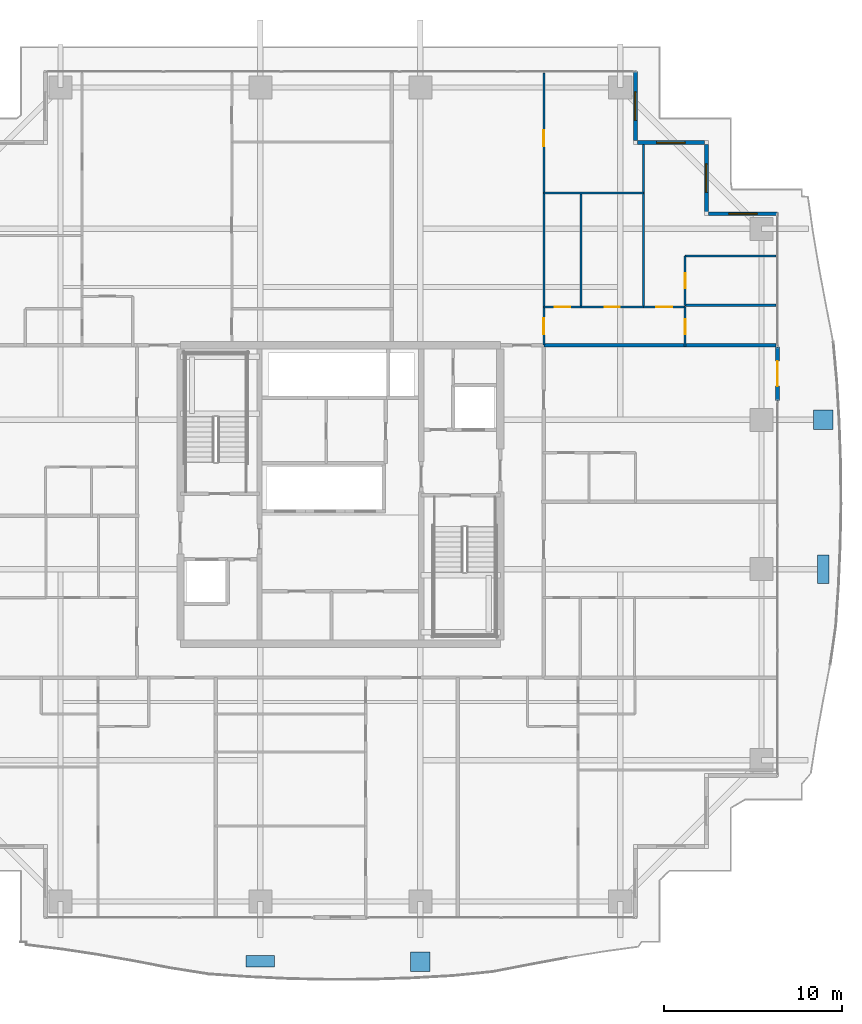
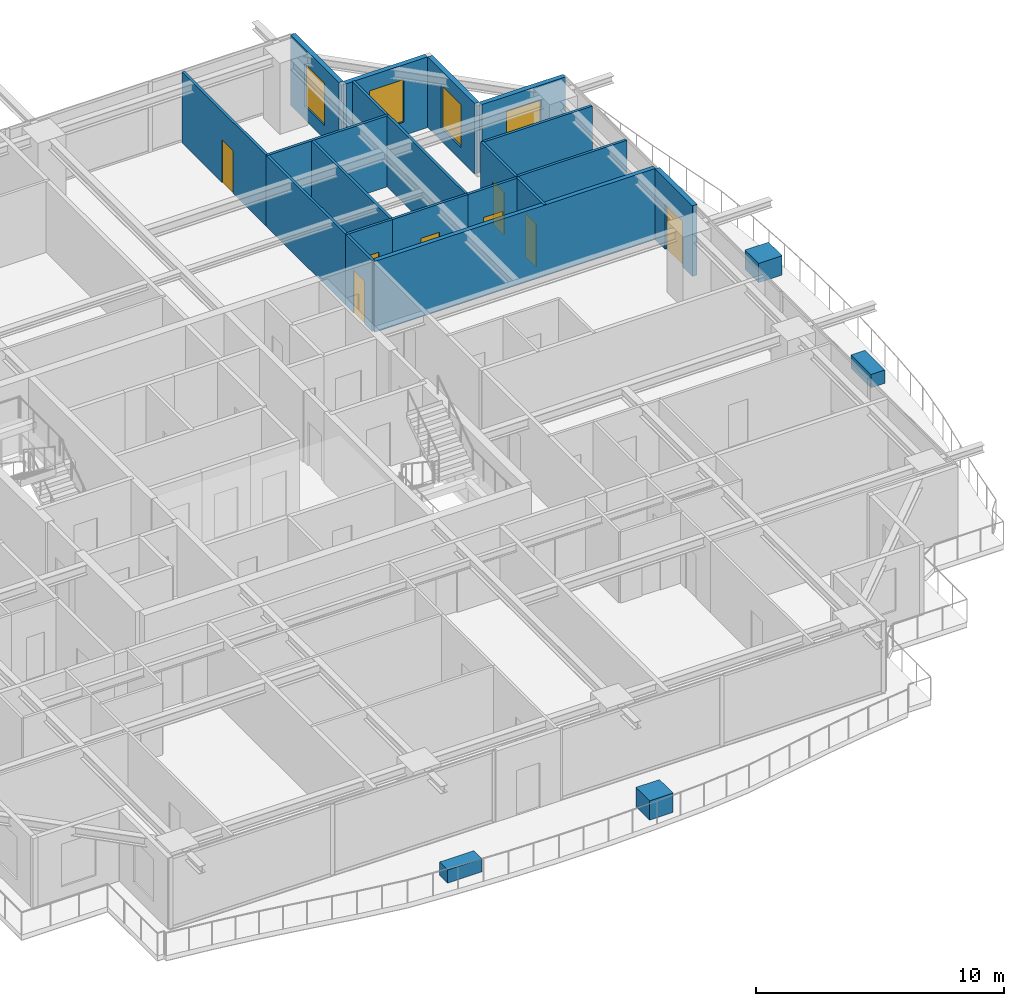
# One storey, part 30 of 36: 19 walls, 8 doors, 4 discrete accessories, 4 windows, 12 openings.
"""IFC4 building model written with IfcOpenShell, lengths in metres."""

from ifc_helpers import new_model, si_unit, direction, frame, frame_2d, origin, origin_2d, place, context, subcontext, project, spatial, rectangle, extrude, source, transform, mapped, material, layer, layer_set, type_object, element, fill, save


model = new_model("IFC4")

# Units and contexts
model_context = context("Model", 3, precision=1e-05, world=origin(), true_north=direction((0.0, 1.0)))
body_context = subcontext(model_context, "Body", "Model", "MODEL_VIEW")
ifc_project = project(units=[si_unit("LENGTHUNIT", "METRE"), si_unit("AREAUNIT", "SQUARE_METRE"), si_unit("VOLUMEUNIT", "CUBIC_METRE"), si_unit("PLANEANGLEUNIT", "RADIAN"), si_unit("MASSUNIT", "GRAM", prefix="KILO")], contexts=[model_context])

# Site, building, storey
site_placement = place(None, origin())
site = spatial("IfcSite", under=ifc_project, at=site_placement, CompositionType="ELEMENT")
building_placement = place(site_placement, origin())
building = spatial("IfcBuilding", under=site, at=building_placement, Name="Serunith Strait Residences", CompositionType="ELEMENT")
storey_placement = place(building_placement, frame((0.0, 0.0, 131.39990234375)))
storey = spatial("IfcBuildingStorey", under=building, at=storey_placement, Name="L32", CompositionType="ELEMENT", Elevation=131.39990234375)

# Wall, opening, door
ifc_material_1 = material(Name="Pale-Champagne Aluminium Insulated Panel", Category="aluminium")
ifc_layer_1 = layer(ifc_material_1, 0.219970703125, Name="Pale-Champagne Aluminium Insulated Panel")
ifc_layer_set_1 = layer_set([ifc_layer_1], Name="Pale-Champagne Aluminium Insulated Panel")
wall_type_1 = type_object("IfcWallType", Name="EW-ALUM-220", PredefinedType="ELEMENTEDWALL", material=ifc_layer_set_1)
wall_1_placement = place(storey_placement, frame((57.0, 30.5, 0.0), z_axis=(0.0, 0.0, 1.0), x_axis=(0.0, 1.0, 0.0)))
wall_1 = element("IfcWall", 1, at=wall_1_placement, inside=storey, type_object=wall_type_1, Name="L32 E Facade Pier Wall", PredefinedType="ELEMENTEDWALL", context=body_context, shape_type="SweptSolid", body=[
    extrude(rectangle(XDim=3.0, YDim=0.219970703125, at=frame_2d((1.5, 0.0))), origin(), (0.0, 0.0, 1.0), 3.47509765625),
])
opening_1_placement = place(wall_1_placement, frame((0.800048828125, 0.0, 0.0)))
opening_1 = element("IfcOpeningElement", 2, at=opening_1_placement, cuts=wall_1, Name="Opening ED-04", PredefinedType="OPENING", context=body_context, shape_type="SweptSolid", body=[
    extrude(rectangle(XDim=1.39990234375, YDim=2.25, at=frame_2d((0.699951171875, 1.125))), frame((0.0, 0.1201171875, 0.0), z_axis=(0.0, -1.0, 0.0), x_axis=(1.0, 0.0, 0.0)), (0.0, 0.0, 1.0), 0.239990234375),
])
ifc_material_2 = material(Name="Thermally-Broken Aluminium Sliding Balcony Door", Category="aluminium")
door_type_1 = type_object("IfcDoorType", Name="ED-BALC-1400", OperationType="NOTDEFINED", PredefinedType="DOOR", material=ifc_material_2)
shared_shape_1 = source(origin(), body_context, "Body", "SweptSolid", [
    extrude(rectangle(XDim=1.39990234375, YDim=2.25, at=frame_2d((0.699951171875, 1.125))), frame((0.0, 0.02490234375, 0.0), z_axis=(0.0, -1.0, 0.0), x_axis=(1.0, 0.0, 0.0)), (0.0, 0.0, 1.0), 0.050048828125),
])
door_1_placement = place(opening_1_placement, origin())
door_1 = element("IfcDoor", 3, at=door_1_placement, inside=storey, type_object=door_type_1, Name="L32 E Vertical-Forest Balcony Door", OperationType="SLIDING_TO_LEFT", OverallHeight=2.25, OverallWidth=1.39990234375, PredefinedType="DOOR", context=body_context, shape_type="MappedRepresentation", body=[
    mapped(shared_shape_1, transform((0.0, 0.0, 0.0), scale=1.0)),
])
fill(opening_1, door_1)

# Wall, opening, window
wall_2_placement = place(storey_placement, frame((57.0, 41.0, 0.0), z_axis=(0.0, 0.0, 1.0), x_axis=(-1.0, 0.0, 0.0)))
wall_2 = element("IfcWall", 4, at=wall_2_placement, inside=storey, type_object=wall_type_1, Name="L32 Girih Serrated Corner Wall 07", PredefinedType="ELEMENTEDWALL", context=body_context, shape_type="SweptSolid", body=[
    extrude(rectangle(XDim=3.889892578125, YDim=0.219970703125, at=frame_2d((1.94482421875, 0.0))), origin(), (0.0, 0.0, 1.0), 3.47509765625),
])
opening_2_placement = place(wall_2_placement, frame((1.14501953125, 0.0, 0.64990234375)))
opening_2 = element("IfcOpeningElement", 5, at=opening_2_placement, cuts=wall_2, Name="Opening W-02", PredefinedType="OPENING", context=body_context, shape_type="SweptSolid", body=[
    extrude(rectangle(XDim=1.60009765625, YDim=2.10009765625, at=frame_2d((0.800048828125, 1.050048828125))), frame((0.0, 0.1201171875, 0.0), z_axis=(0.0, -1.0, 0.0), x_axis=(1.0, 0.0, 0.0)), (0.0, 0.0, 1.0), 0.239990234375),
])
ifc_material_3 = material(Name="Ceramic-Fritted Operable Aluminium Window Glass", Category="aluminium")
window_type = type_object("IfcWindowType", Name="WIN-C2", PartitioningType="DOUBLE_PANEL_VERTICAL", PredefinedType="WINDOW", material=ifc_material_3)
shared_shape_2 = source(origin(), body_context, "Body", "SweptSolid", [
    extrude(rectangle(XDim=1.60009765625, YDim=2.10009765625, at=frame_2d((0.800048828125, 1.050048828125))), frame((0.0, 0.030029296875, 0.0), z_axis=(0.0, -1.0, 0.0), x_axis=(1.0, 0.0, 0.0)), (0.0, 0.0, 1.0), 0.06005859375),
])
window_1_placement = place(opening_2_placement, origin())
window_1 = element("IfcWindow", 6, at=window_1_placement, inside=storey, type_object=window_type, Name="L32 Corner Operable Fritted Window 07", OverallHeight=2.10009765625, OverallWidth=1.60009765625, PartitioningType="SINGLE_PANEL", PredefinedType="WINDOW", context=body_context, shape_type="MappedRepresentation", body=[
    mapped(shared_shape_2, transform((0.0, 0.0, 0.0), scale=1.0)),
])
fill(opening_2, window_1)

wall_3_placement = place(storey_placement, frame((53.0, 41.110107421875, 0.0), z_axis=(0.0, 0.0, 1.0), x_axis=(0.0, 1.0, 0.0)))
wall_3 = element("IfcWall", 7, at=wall_3_placement, inside=storey, type_object=wall_type_1, Name="L32 Girih Serrated Corner Wall 08", PredefinedType="ELEMENTEDWALL", context=body_context, shape_type="SweptSolid", body=[
    extrude(rectangle(XDim=3.77978515625, YDim=0.219970703125, at=frame_2d((1.889892578125, 0.0))), origin(), (0.0, 0.0, 1.0), 3.47509765625),
])
opening_3_placement = place(wall_3_placement, frame((1.090087890625, 0.0, 0.64990234375)))
opening_3 = element("IfcOpeningElement", 8, at=opening_3_placement, cuts=wall_3, Name="Opening W-02", PredefinedType="OPENING", context=body_context, shape_type="SweptSolid", body=[
    extrude(rectangle(XDim=1.60009765625, YDim=2.10009765625, at=frame_2d((0.800048828125, 1.050048828125))), frame((0.0, 0.1201171875, 0.0), z_axis=(0.0, -1.0, 0.0), x_axis=(1.0, 0.0, 0.0)), (0.0, 0.0, 1.0), 0.239990234375),
])
window_2_placement = place(opening_3_placement, origin())
window_2 = element("IfcWindow", 9, at=window_2_placement, inside=storey, type_object=window_type, Name="L32 Corner Operable Fritted Window 08", OverallHeight=2.10009765625, OverallWidth=1.60009765625, PartitioningType="SINGLE_PANEL", PredefinedType="WINDOW", context=body_context, shape_type="MappedRepresentation", body=[
    mapped(shared_shape_2, transform((0.0, 0.0, 0.0), scale=1.0)),
])
fill(opening_3, window_2)

wall_4_placement = place(storey_placement, frame((52.889892578125, 45.0, 0.0), z_axis=(0.0, 0.0, 1.0), x_axis=(-1.0, 0.0, 0.0)))
wall_4 = element("IfcWall", 10, at=wall_4_placement, inside=storey, type_object=wall_type_1, Name="L32 Girih Serrated Corner Wall 09", PredefinedType="ELEMENTEDWALL", context=body_context, shape_type="SweptSolid", body=[
    extrude(rectangle(XDim=3.77978515625, YDim=0.219970703125, at=frame_2d((1.889892578125, 0.0))), origin(), (0.0, 0.0, 1.0), 3.47509765625),
])
opening_4_placement = place(wall_4_placement, frame((1.090087890625, 0.0, 0.64990234375)))
opening_4 = element("IfcOpeningElement", 11, at=opening_4_placement, cuts=wall_4, Name="Opening W-02", PredefinedType="OPENING", context=body_context, shape_type="SweptSolid", body=[
    extrude(rectangle(XDim=1.60009765625, YDim=2.10009765625, at=frame_2d((0.800048828125, 1.050048828125))), frame((0.0, 0.1201171875, 0.0), z_axis=(0.0, -1.0, 0.0), x_axis=(1.0, 0.0, 0.0)), (0.0, 0.0, 1.0), 0.239990234375),
])
window_3_placement = place(opening_4_placement, origin())
window_3 = element("IfcWindow", 12, at=window_3_placement, inside=storey, type_object=window_type, Name="L32 Corner Operable Fritted Window 09", OverallHeight=2.10009765625, OverallWidth=1.60009765625, PartitioningType="SINGLE_PANEL", PredefinedType="WINDOW", context=body_context, shape_type="MappedRepresentation", body=[
    mapped(shared_shape_2, transform((0.0, 0.0, 0.0), scale=1.0)),
])
fill(opening_4, window_3)

wall_5_placement = place(storey_placement, frame((49.0, 45.110107421875, 0.0), z_axis=(0.0, 0.0, 1.0), x_axis=(0.0, 1.0, 0.0)))
wall_5 = element("IfcWall", 13, at=wall_5_placement, inside=storey, type_object=wall_type_1, Name="L32 Girih Serrated Corner Wall 10", PredefinedType="ELEMENTEDWALL", context=body_context, shape_type="SweptSolid", body=[
    extrude(rectangle(XDim=3.889892578125, YDim=0.219970703125, at=frame_2d((1.94482421875, 0.0))), origin(), (0.0, 0.0, 1.0), 3.47509765625),
])
opening_5_placement = place(wall_5_placement, frame((1.14501953125, 0.0, 0.64990234375)))
opening_5 = element("IfcOpeningElement", 14, at=opening_5_placement, cuts=wall_5, Name="Opening W-02", PredefinedType="OPENING", context=body_context, shape_type="SweptSolid", body=[
    extrude(rectangle(XDim=1.60009765625, YDim=2.10009765625, at=frame_2d((0.800048828125, 1.050048828125))), frame((0.0, 0.1201171875, 0.0), z_axis=(0.0, -1.0, 0.0), x_axis=(1.0, 0.0, 0.0)), (0.0, 0.0, 1.0), 0.239990234375),
])
window_4_placement = place(opening_5_placement, origin())
window_4 = element("IfcWindow", 15, at=window_4_placement, inside=storey, type_object=window_type, Name="L32 Corner Operable Fritted Window 10", OverallHeight=2.10009765625, OverallWidth=1.60009765625, PartitioningType="SINGLE_PANEL", PredefinedType="WINDOW", context=body_context, shape_type="MappedRepresentation", body=[
    mapped(shared_shape_2, transform((0.0, 0.0, 0.0), scale=1.0)),
])
fill(opening_5, window_4)

# Wall, opening, door
ifc_material_4 = material(Name="Lightweight steel-stud gypsum partition", Category="steel")
ifc_layer_2 = layer(ifc_material_4, 0.1201171875, Name="Lightweight steel-stud gypsum partition")
ifc_layer_set_2 = layer_set([ifc_layer_2], Name="Lightweight steel-stud gypsum partition")
wall_type_2 = type_object("IfcWallType", Name="IW-PART-120", PredefinedType="PARTITIONING", material=ifc_layer_set_2)
wall_6_placement = place(storey_placement, frame((43.85009765625, 35.75, 0.0), z_axis=(0.0, 0.0, 1.0), x_axis=(0.0, -1.0, 0.0)))
wall_6 = element("IfcWall", 16, at=wall_6_placement, inside=storey, type_object=wall_type_2, Name="L32 Partition Wall 068", PredefinedType="PARTITIONING", context=body_context, shape_type="SweptSolid", body=[
    extrude(rectangle(XDim=2.14794921875, YDim=0.1201171875, at=frame_2d((1.073974609375, 0.0))), origin(), (0.0, 0.0, 1.0), 3.489990234375),
])
opening_6_placement = place(wall_6_placement, frame((0.64208984375, 0.0, 0.0)))
opening_6 = element("IfcOpeningElement", 17, at=opening_6_placement, cuts=wall_6, Name="Opening D-RM900", PredefinedType="OPENING", context=body_context, shape_type="SweptSolid", body=[
    extrude(rectangle(XDim=0.89990234375, YDim=2.10009765625, at=frame_2d((0.449951171875, 1.050048828125))), frame((0.0, 0.070068359375, 0.0), z_axis=(0.0, -1.0, 0.0), x_axis=(1.0, 0.0, 0.0)), (0.0, 0.0, 1.0), 0.14013671875),
])
ifc_material_5 = material(Name="Engineered timber flush bedroom door", Category="wood")
door_type_2 = type_object("IfcDoorType", Name="ID-ROOM-900", OperationType="NOTDEFINED", PredefinedType="DOOR", material=ifc_material_5)
shared_shape_3 = source(origin(), body_context, "Body", "SweptSolid", [
    extrude(rectangle(XDim=0.89990234375, YDim=2.10009765625, at=frame_2d((0.449951171875, 1.050048828125))), frame((0.0, 0.02490234375, 0.0), z_axis=(0.0, -1.0, 0.0), x_axis=(1.0, 0.0, 0.0)), (0.0, 0.0, 1.0), 0.050048828125),
])
door_2_placement = place(opening_6_placement, origin())
door_2 = element("IfcDoor", 18, at=door_2_placement, inside=storey, type_object=door_type_2, Name="L32 Hall E 3205 Door", OperationType="SINGLE_SWING_RIGHT", OverallHeight=2.10009765625, OverallWidth=0.89990234375, PredefinedType="DOOR", context=body_context, shape_type="MappedRepresentation", body=[
    mapped(shared_shape_3, transform((0.0, 0.0, 0.0), scale=1.0)),
])
fill(opening_6, door_2)

wall_7_placement = place(storey_placement, frame((43.85009765625, 48.905029296875, 0.0), z_axis=(0.0, 0.0, 1.0), x_axis=(0.0, -1.0, 0.0)))
wall_7 = element("IfcWall", 19, at=wall_7_placement, inside=storey, type_object=wall_type_2, Name="L32 Partition Wall 069", PredefinedType="PARTITIONING", context=body_context, shape_type="SweptSolid", body=[
    extrude(rectangle(XDim=6.7470703125, YDim=0.1201171875, at=frame_2d((3.37353515625, 0.0))), origin(), (0.0, 0.0, 1.0), 3.489990234375),
])
opening_7_placement = place(wall_7_placement, frame((3.216064453125, 0.0, 0.0)))
opening_7 = element("IfcOpeningElement", 20, at=opening_7_placement, cuts=wall_7, Name="Opening D-RM900", PredefinedType="OPENING", context=body_context, shape_type="SweptSolid", body=[
    extrude(rectangle(XDim=0.89990234375, YDim=2.10009765625, at=frame_2d((0.449951171875, 1.050048828125))), frame((0.0, 0.070068359375, 0.0), z_axis=(0.0, -1.0, 0.0), x_axis=(1.0, 0.0, 0.0)), (0.0, 0.0, 1.0), 0.14013671875),
])
door_3_placement = place(opening_7_placement, origin())
door_3 = element("IfcDoor", 21, at=door_3_placement, inside=storey, type_object=door_type_2, Name="L32 Formal Dining Room 1 3205 Door", OperationType="SINGLE_SWING_LEFT", OverallHeight=2.10009765625, OverallWidth=0.89990234375, PredefinedType="DOOR", context=body_context, shape_type="MappedRepresentation", body=[
    mapped(shared_shape_3, transform((0.0, 0.0, 0.0), scale=1.0)),
])
fill(opening_7, door_3)

# Walls
wall_8_placement = place(storey_placement, frame((43.85009765625, 42.156005859375, 0.0), z_axis=(0.0, 0.0, 1.0), x_axis=(0.0, -1.0, 0.0)))
element("IfcWall", 22, at=wall_8_placement, inside=storey, type_object=wall_type_2, Name="L32 Partition Wall 070", PredefinedType="PARTITIONING", context=body_context, shape_type="SweptSolid", body=[
    extrude(rectangle(XDim=6.404052734375, YDim=0.1201171875, at=frame_2d((3.2021484375, 0.0))), origin(), (0.0, 0.0, 1.0), 3.489990234375),
])
wall_9_placement = place(storey_placement, frame((43.85009765625, 42.157958984375, 0.0), z_axis=(0.0, 0.0, 1.0), x_axis=(1.0, 0.0, 0.0)))
element("IfcWall", 23, at=wall_9_placement, inside=storey, type_object=wall_type_2, Name="L32 Partition Wall 071", PredefinedType="PARTITIONING", context=body_context, shape_type="SweptSolid", body=[
    extrude(rectangle(XDim=5.599853515625, YDim=0.1201171875, at=frame_2d((2.7998046875, 0.0))), origin(), (0.0, 0.0, 1.0), 3.489990234375),
])
wall_10_placement = place(storey_placement, frame((49.449951171875, 44.905029296875, 0.0), z_axis=(0.0, 0.0, 1.0), x_axis=(0.0, -1.0, 0.0)))
element("IfcWall", 24, at=wall_10_placement, inside=storey, type_object=wall_type_2, Name="L32 Partition Wall 072", PredefinedType="PARTITIONING", context=body_context, shape_type="SweptSolid", body=[
    extrude(rectangle(XDim=9.155029296875, YDim=0.1201171875, at=frame_2d((4.57763671875, 0.0))), origin(), (0.0, 0.0, 1.0), 3.489990234375),
])
wall_11_placement = place(storey_placement, frame((45.949951171875, 42.157958984375, 0.0), z_axis=(0.0, 0.0, 1.0), x_axis=(0.0, -1.0, 0.0)))
element("IfcWall", 25, at=wall_11_placement, inside=storey, type_object=wall_type_2, Name="L32 Partition Wall 073", PredefinedType="PARTITIONING", context=body_context, shape_type="SweptSolid", body=[
    extrude(rectangle(XDim=6.407958984375, YDim=0.1201171875, at=frame_2d((3.2041015625, 0.0))), origin(), (0.0, 0.0, 1.0), 3.489990234375),
])

# Wall, opening, door
wall_12_placement = place(storey_placement, frame((43.85009765625, 35.75, 0.0), z_axis=(0.0, 0.0, 1.0), x_axis=(1.0, 0.0, 0.0)))
wall_12 = element("IfcWall", 26, at=wall_12_placement, inside=storey, type_object=wall_type_2, Name="L32 Partition Wall 074", PredefinedType="PARTITIONING", context=body_context, shape_type="SweptSolid", body=[
    extrude(rectangle(XDim=2.099853515625, YDim=0.1201171875, at=frame_2d((1.0498046875, 0.0))), origin(), (0.0, 0.0, 1.0), 3.489990234375),
])
opening_8_placement = place(wall_12_placement, frame((0.625, 0.0, 0.0)))
opening_8 = element("IfcOpeningElement", 27, at=opening_8_placement, cuts=wall_12, Name="Opening D-BTH850", PredefinedType="OPENING", context=body_context, shape_type="SweptSolid", body=[
    extrude(rectangle(XDim=0.85009765625, YDim=2.10009765625, at=frame_2d((0.425048828125, 1.050048828125))), frame((0.0, 0.070068359375, 0.0), z_axis=(0.0, -1.0, 0.0), x_axis=(1.0, 0.0, 0.0)), (0.0, 0.0, 1.0), 0.14013671875),
])
ifc_material_6 = material(Name="Moisture-resistant timber bathroom door", Category="wood")
door_type_3 = type_object("IfcDoorType", Name="ID-BATH-850", OperationType="NOTDEFINED", PredefinedType="DOOR", material=ifc_material_6)
shared_shape_4 = source(origin(), body_context, "Body", "SweptSolid", [
    extrude(rectangle(XDim=0.85009765625, YDim=2.10009765625, at=frame_2d((0.425048828125, 1.050048828125))), frame((0.0, 0.02490234375, 0.0), z_axis=(0.0, -1.0, 0.0), x_axis=(1.0, 0.0, 0.0)), (0.0, 0.0, 1.0), 0.050048828125),
])
door_4_placement = place(opening_8_placement, origin())
door_4 = element("IfcDoor", 28, at=door_4_placement, inside=storey, type_object=door_type_3, Name="L32 Bathroom 3205 Door", OperationType="SINGLE_SWING_RIGHT", OverallHeight=2.10009765625, OverallWidth=0.85009765625, PredefinedType="DOOR", context=body_context, shape_type="MappedRepresentation", body=[
    mapped(shared_shape_4, transform((0.0, 0.0, 0.0), scale=1.0)),
])
fill(opening_8, door_4)

wall_13_placement = place(storey_placement, frame((45.951904296875, 35.75, 0.0), z_axis=(0.0, 0.0, 1.0), x_axis=(1.0, 0.0, 0.0)))
wall_13 = element("IfcWall", 29, at=wall_13_placement, inside=storey, type_object=wall_type_2, Name="L32 Partition Wall 075", PredefinedType="PARTITIONING", context=body_context, shape_type="SweptSolid", body=[
    extrude(rectangle(XDim=3.498046875, YDim=0.1201171875, at=frame_2d((1.7490234375, 0.0))), origin(), (0.0, 0.0, 1.0), 3.489990234375),
])
opening_9_placement = place(wall_13_placement, frame((1.323974609375, 0.0, 0.0)))
opening_9 = element("IfcOpeningElement", 30, at=opening_9_placement, cuts=wall_13, Name="Opening D-RM850", PredefinedType="OPENING", context=body_context, shape_type="SweptSolid", body=[
    extrude(rectangle(XDim=0.85009765625, YDim=2.10009765625, at=frame_2d((0.425048828125, 1.050048828125))), frame((0.0, 0.070068359375, 0.0), z_axis=(0.0, -1.0, 0.0), x_axis=(1.0, 0.0, 0.0)), (0.0, 0.0, 1.0), 0.14013671875),
])
ifc_material_7 = material(Name="Engineered timber flush study and kitchen door", Category="wood")
door_type_4 = type_object("IfcDoorType", Name="ID-ROOM-850", OperationType="NOTDEFINED", PredefinedType="DOOR", material=ifc_material_7)
door_5_placement = place(opening_9_placement, origin())
door_5 = element("IfcDoor", 31, at=door_5_placement, inside=storey, type_object=door_type_4, Name="L32 Kitchen 3205 Door", OperationType="SINGLE_SWING_LEFT", OverallHeight=2.10009765625, OverallWidth=0.85009765625, PredefinedType="DOOR", context=body_context, shape_type="MappedRepresentation", body=[
    mapped(shared_shape_4, transform((0.0, 0.0, 0.0), scale=1.0)),
])
fill(opening_9, door_5)

wall_14_placement = place(storey_placement, frame((49.451904296875, 35.75, 0.0), z_axis=(0.0, 0.0, 1.0), x_axis=(1.0, 0.0, 0.0)))
wall_14 = element("IfcWall", 32, at=wall_14_placement, inside=storey, type_object=wall_type_2, Name="L32 Partition Wall 076", PredefinedType="PARTITIONING", context=body_context, shape_type="SweptSolid", body=[
    extrude(rectangle(XDim=2.34814453125, YDim=0.1201171875, at=frame_2d((1.174072265625, 0.0))), origin(), (0.0, 0.0, 1.0), 3.489990234375),
])
opening_10_placement = place(wall_14_placement, frame((0.72412109375, 0.0, 0.0)))
opening_10 = element("IfcOpeningElement", 33, at=opening_10_placement, cuts=wall_14, Name="Opening D-RM900", PredefinedType="OPENING", context=body_context, shape_type="SweptSolid", body=[
    extrude(rectangle(XDim=0.89990234375, YDim=2.10009765625, at=frame_2d((0.449951171875, 1.050048828125))), frame((0.0, 0.070068359375, 0.0), z_axis=(0.0, -1.0, 0.0), x_axis=(1.0, 0.0, 0.0)), (0.0, 0.0, 1.0), 0.14013671875),
])
door_6_placement = place(opening_10_placement, origin())
door_6 = element("IfcDoor", 34, at=door_6_placement, inside=storey, type_object=door_type_2, Name="L32 Master Bedroom E 3205 Door", OperationType="SINGLE_SWING_RIGHT", OverallHeight=2.10009765625, OverallWidth=0.89990234375, PredefinedType="DOOR", context=body_context, shape_type="MappedRepresentation", body=[
    mapped(shared_shape_3, transform((0.0, 0.0, 0.0), scale=1.0)),
])
fill(opening_10, door_6)

# Walls
wall_15_placement = place(storey_placement, frame((51.800048828125, 38.62109375, 0.0), z_axis=(0.0, 0.0, 1.0), x_axis=(1.0, 0.0, 0.0)))
element("IfcWall", 35, at=wall_15_placement, inside=storey, type_object=wall_type_2, Name="L32 Partition Wall 077", PredefinedType="PARTITIONING", context=body_context, shape_type="SweptSolid", body=[
    extrude(rectangle(XDim=5.10498046875, YDim=0.1201171875, at=frame_2d((2.552490234375, 0.0))), origin(), (0.0, 0.0, 1.0), 3.489990234375),
])
wall_16_placement = place(storey_placement, frame((51.802001953125, 35.845947265625, 0.0), z_axis=(0.0, 0.0, 1.0), x_axis=(1.0, 0.0, 0.0)))
element("IfcWall", 36, at=wall_16_placement, inside=storey, type_object=wall_type_2, Name="L32 Partition Wall 078", PredefinedType="PARTITIONING", context=body_context, shape_type="SweptSolid", body=[
    extrude(rectangle(XDim=5.10302734375, YDim=0.1201171875, at=frame_2d((2.551513671875, 0.0))), origin(), (0.0, 0.0, 1.0), 3.489990234375),
])

# Wall, opening, door
wall_17_placement = place(storey_placement, frame((51.800048828125, 38.62109375, 0.0), z_axis=(0.0, 0.0, 1.0), x_axis=(0.0, -1.0, 0.0)))
wall_17 = element("IfcWall", 37, at=wall_17_placement, inside=storey, type_object=wall_type_2, Name="L32 Partition Wall 079", PredefinedType="PARTITIONING", context=body_context, shape_type="SweptSolid", body=[
    extrude(rectangle(XDim=2.775146484375, YDim=0.1201171875, at=frame_2d((1.3876953125, 0.0))), origin(), (0.0, 0.0, 1.0), 3.489990234375),
])
opening_11_placement = place(wall_17_placement, frame((0.962890625, 0.0, 0.0)))
opening_11 = element("IfcOpeningElement", 38, at=opening_11_placement, cuts=wall_17, Name="Opening D-BTH850", PredefinedType="OPENING", context=body_context, shape_type="SweptSolid", body=[
    extrude(rectangle(XDim=0.85009765625, YDim=2.10009765625, at=frame_2d((0.425048828125, 1.050048828125))), frame((0.0, 0.070068359375, 0.0), z_axis=(0.0, -1.0, 0.0), x_axis=(1.0, 0.0, 0.0)), (0.0, 0.0, 1.0), 0.14013671875),
])
door_7_placement = place(opening_11_placement, origin())
door_7 = element("IfcDoor", 39, at=door_7_placement, inside=storey, type_object=door_type_3, Name="L32 En-suite Bathroom E 3205 Door", OperationType="SINGLE_SWING_LEFT", OverallHeight=2.10009765625, OverallWidth=0.85009765625, PredefinedType="DOOR", context=body_context, shape_type="MappedRepresentation", body=[
    mapped(shared_shape_4, transform((0.0, 0.0, 0.0), scale=1.0)),
])
fill(opening_11, door_7)

wall_18_placement = place(storey_placement, frame((51.800048828125, 35.75, 0.0), z_axis=(0.0, 0.0, 1.0), x_axis=(0.0, -1.0, 0.0)))
wall_18 = element("IfcWall", 40, at=wall_18_placement, inside=storey, type_object=wall_type_2, Name="L32 Partition Wall 080", PredefinedType="PARTITIONING", context=body_context, shape_type="SweptSolid", body=[
    extrude(rectangle(XDim=2.2099609375, YDim=0.1201171875, at=frame_2d((1.10498046875, 0.0))), origin(), (0.0, 0.0, 1.0), 3.489990234375),
])
opening_12_placement = place(wall_18_placement, frame((0.679931640625, 0.0, 0.0)))
opening_12 = element("IfcOpeningElement", 41, at=opening_12_placement, cuts=wall_18, Name="Opening D-RM850", PredefinedType="OPENING", context=body_context, shape_type="SweptSolid", body=[
    extrude(rectangle(XDim=0.85009765625, YDim=2.10009765625, at=frame_2d((0.425048828125, 1.050048828125))), frame((0.0, 0.070068359375, 0.0), z_axis=(0.0, -1.0, 0.0), x_axis=(1.0, 0.0, 0.0)), (0.0, 0.0, 1.0), 0.14013671875),
])
door_8_placement = place(opening_12_placement, origin())
door_8 = element("IfcDoor", 42, at=door_8_placement, inside=storey, type_object=door_type_4, Name="L32 Wardrobe E 3205 Door", OperationType="SINGLE_SWING_RIGHT", OverallHeight=2.10009765625, OverallWidth=0.85009765625, PredefinedType="DOOR", context=body_context, shape_type="MappedRepresentation", body=[
    mapped(shared_shape_4, transform((0.0, 0.0, 0.0), scale=1.0)),
])
fill(opening_12, door_8)

# Wall
ifc_material_8 = material(Name="Twin-stud acoustic gypsum board partition")
ifc_layer_3 = layer(ifc_material_8, 0.199951171875, Name="Twin-stud acoustic gypsum board partition")
ifc_layer_set_3 = layer_set([ifc_layer_3], Name="Twin-stud acoustic gypsum board partition")
wall_type_3 = type_object("IfcWallType", Name="IW-PARTY-200", PredefinedType="PARTITIONING", material=ifc_layer_set_3)
wall_19_placement = place(storey_placement, frame((43.85009765625, 33.60009765625, 0.0), z_axis=(0.0, 0.0, 1.0), x_axis=(1.0, 0.0, 0.0)))
element("IfcWall", 43, at=wall_19_placement, inside=storey, type_object=wall_type_3, Name="L32 Partition Wall 026", PredefinedType="PARTITIONING", context=body_context, shape_type="SweptSolid", body=[
    extrude(rectangle(XDim=13.06787109375, YDim=0.199951171875, at=frame_2d((6.533935546875, 0.0))), origin(), (0.0, 0.0, 1.0), 3.489990234375),
])

# Discrete accessories
ifc_material_9 = material(Name="GFRC Root-Anchored Structural Planter")
discrete_accessory_type_1 = type_object("IfcDiscreteAccessoryType", Name="ACC-PLANTER-TREE", PredefinedType="USERDEFINED", material=ifc_material_9)
shared_shape_5 = source(origin(), body_context, "Body", "SweptSolid", [
    extrude(rectangle(XDim=1.10009765625, YDim=1.10009765625, at=origin_2d()), origin(), (0.0, 0.0, 1.0), 0.949951171875),
])
for number, where, z_axis, x_axis, name in (
    (44, (36.89990234375, -1.08056640625, -0.0498046875), (0.0, 0.0, 1.0), (1.0, 0.0, 0.0), "L32 Vertical-Forest Tree Planter 03"),
    (45, (59.567626953125, 29.39990234375, -0.0498046875), (0.0, 0.0, 1.0), (0.0, 1.0, 0.0), "L32 Vertical-Forest Tree Planter 11"),
):
    element("IfcDiscreteAccessory", number, at=place(storey_placement, frame(where, z_axis=z_axis, x_axis=x_axis)), inside=storey, type_object=discrete_accessory_type_1, Name=name, ObjectType="PLANTER", PredefinedType="USERDEFINED", context=body_context, shape_type="MappedRepresentation", body=[
        mapped(shared_shape_5, transform((0.0, 0.0, 0.0), scale=1.0)),
    ])
ifc_material_10 = material(Name="GFRC Irrigated Shrub Trough Planter")
discrete_accessory_type_2 = type_object("IfcDiscreteAccessoryType", Name="ACC-PLANTER-SHRUB", PredefinedType="USERDEFINED", material=ifc_material_10)
shared_shape_6 = source(origin(), body_context, "Body", "SweptSolid", [
    extrude(rectangle(XDim=1.60009765625, YDim=0.64990234375, at=origin_2d()), origin(), (0.0, 0.0, 1.0), 0.64990234375),
])
for number, where, z_axis, x_axis, name in (
    (46, (27.89990234375, -1.068359375, -0.0498046875), (0.0, 0.0, 1.0), (1.0, 0.0, 0.0), "L32 Vertical-Forest Shrub Planter 02"),
    (47, (59.572265625, 21.0, -0.0498046875), (0.0, 0.0, 1.0), (0.0, 1.0, 0.0), "L32 Vertical-Forest Shrub Planter 10"),
):
    element("IfcDiscreteAccessory", number, at=place(storey_placement, frame(where, z_axis=z_axis, x_axis=x_axis)), inside=storey, type_object=discrete_accessory_type_2, Name=name, ObjectType="PLANTER", PredefinedType="USERDEFINED", context=body_context, shape_type="MappedRepresentation", body=[
        mapped(shared_shape_6, transform((0.0, 0.0, 0.0), scale=1.0)),
    ])

save(model, "model.ifc")
